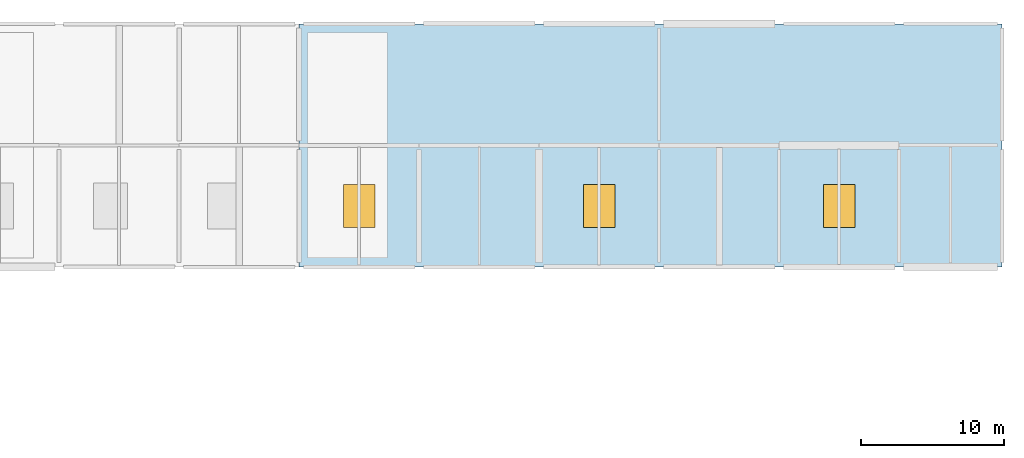
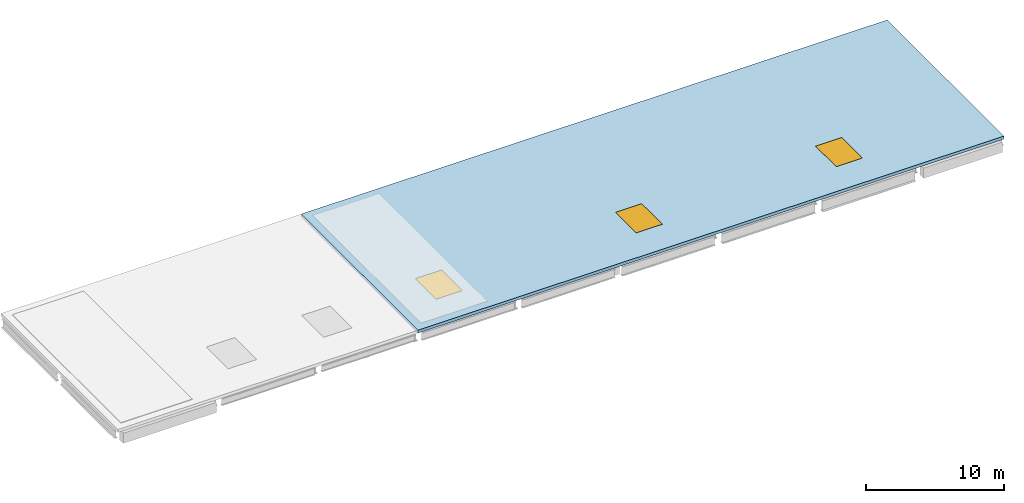
# One storey, part 4 of 6: 3 windows, 1 slab, 3 openings.
"""IFC4 building model written with IfcOpenShell, lengths in metres."""

from ifc_helpers import new_model, si_unit, direction, frame, origin, origin_2d, place, context, subcontext, project, spatial, polyline, rectangle, outline, extrude, material, layer, layer_set, type_object, element, fill, save


model = new_model("IFC4")

# Units and contexts
model_context = context("Model", 3, precision=1e-05, world=origin(), true_north=direction((0.0, 1.0)))
body_context = subcontext(model_context, "Body", "Model", "MODEL_VIEW")
ifc_project = project(units=[si_unit("LENGTHUNIT", "METRE"), si_unit("AREAUNIT", "SQUARE_METRE"), si_unit("VOLUMEUNIT", "CUBIC_METRE"), si_unit("PLANEANGLEUNIT", "RADIAN"), si_unit("MASSUNIT", "GRAM", prefix="KILO")], contexts=[model_context])

# Site, building, storey
site_placement = place(None, origin())
site = spatial("IfcSite", under=ifc_project, at=site_placement, CompositionType="ELEMENT")
building_placement = place(site_placement, origin())
building = spatial("IfcBuilding", under=site, at=building_placement, Name="Solvento Point Concert Hall", CompositionType="ELEMENT")
storey_placement = place(building_placement, frame((0.0, 0.0, 27.89990234375)))
storey = spatial("IfcBuildingStorey", under=building, at=storey_placement, Name="RF", CompositionType="ELEMENT", Elevation=27.89990234375)

# Slab, openings, windows
ifc_material_1 = material(Name="Concrete C40/50", Category="concrete")
ifc_layer = layer(ifc_material_1, 0.260009765625)
ifc_layer_set = layer_set([ifc_layer], Name="Concrete C40/50")
slab_type = type_object("IfcSlabType", Name="RoofFlat_260", PredefinedType="ROOF", material=ifc_layer_set)
slab_placement = place(storey_placement, frame((0.0, 0.0, -0.260009765625)))
slab = element("IfcSlab", 1, at=slab_placement, inside=storey, type_object=slab_type, Name="Structural slab RF-DK1 RF-V5-TOP", PredefinedType="ROOF", context=body_context, shape_type="SweptSolid", body=[
    extrude(outline(polyline([(166.800048828125, 119.0), (166.800048828125, 136.0), (216.0, 136.0), (216.0, 119.0), (166.800048828125, 119.0)])), origin(), (0.0, 0.0, 1.0), 0.260009765625),
])
opening_1_placement = place(slab_placement, frame((171.0, 123.25, 0.0)))
opening_1 = element("IfcOpeningElement", 2, at=opening_1_placement, cuts=slab, Name="Opening SK-33", PredefinedType="OPENING", context=body_context, shape_type="SweptSolid", body=[
    extrude(rectangle(XDim=2.199951171875, YDim=3.0, at=origin_2d()), origin(), (0.0, 0.0, 1.0), 0.260009765625),
])
opening_2_placement = place(slab_placement, frame((187.800048828125, 123.25, 0.0)))
opening_2 = element("IfcOpeningElement", 3, at=opening_2_placement, cuts=slab, Name="Opening SK-33", PredefinedType="OPENING", context=body_context, shape_type="SweptSolid", body=[
    extrude(rectangle(XDim=2.199951171875, YDim=3.0, at=origin_2d()), origin(), (0.0, 0.0, 1.0), 0.260009765625),
])
opening_3_placement = place(slab_placement, frame((204.60009765625, 123.25, 0.0)))
opening_3 = element("IfcOpeningElement", 4, at=opening_3_placement, cuts=slab, Name="Opening SK-33", PredefinedType="OPENING", context=body_context, shape_type="SweptSolid", body=[
    extrude(rectangle(XDim=2.199951171875, YDim=3.0, at=origin_2d()), origin(), (0.0, 0.0, 1.0), 0.260009765625),
])
ifc_material_2 = material(Name="Hurricane Laminated Low-E Glass", Category="glass")
window_type = type_object("IfcWindowType", Name="Skylight_AdminEast", PartitioningType="SINGLE_PANEL", PredefinedType="SKYLIGHT", material=ifc_material_2)
window_1_placement = place(opening_1_placement, frame((0.0, 0.0, 0.2099609375)))
window_1 = element("IfcWindow", 5, at=window_1_placement, inside=storey, type_object=window_type, Name="Acoustic laminated skylight SK-33", OverallHeight=3.0, OverallWidth=2.199951171875, PartitioningType="SINGLE_PANEL", PredefinedType="SKYLIGHT", context=body_context, shape_type="SweptSolid", body=[
    extrude(rectangle(XDim=2.199951171875, YDim=3.0, at=origin_2d()), origin(), (0.0, 0.0, 1.0), 0.050048828125),
])
fill(opening_1, window_1)
window_2_placement = place(opening_2_placement, frame((0.0, 0.0, 0.2099609375)))
window_2 = element("IfcWindow", 6, at=window_2_placement, inside=storey, type_object=window_type, Name="Acoustic laminated skylight SK-33", OverallHeight=3.0, OverallWidth=2.199951171875, PartitioningType="SINGLE_PANEL", PredefinedType="SKYLIGHT", context=body_context, shape_type="SweptSolid", body=[
    extrude(rectangle(XDim=2.199951171875, YDim=3.0, at=origin_2d()), origin(), (0.0, 0.0, 1.0), 0.050048828125),
])
fill(opening_2, window_2)
window_3_placement = place(opening_3_placement, frame((0.0, 0.0, 0.2099609375)))
window_3 = element("IfcWindow", 7, at=window_3_placement, inside=storey, type_object=window_type, Name="Acoustic laminated skylight SK-33", OverallHeight=3.0, OverallWidth=2.199951171875, PartitioningType="SINGLE_PANEL", PredefinedType="SKYLIGHT", context=body_context, shape_type="SweptSolid", body=[
    extrude(rectangle(XDim=2.199951171875, YDim=3.0, at=origin_2d()), origin(), (0.0, 0.0, 1.0), 0.050048828125),
])
fill(opening_3, window_3)

save(model, "model.ifc")
